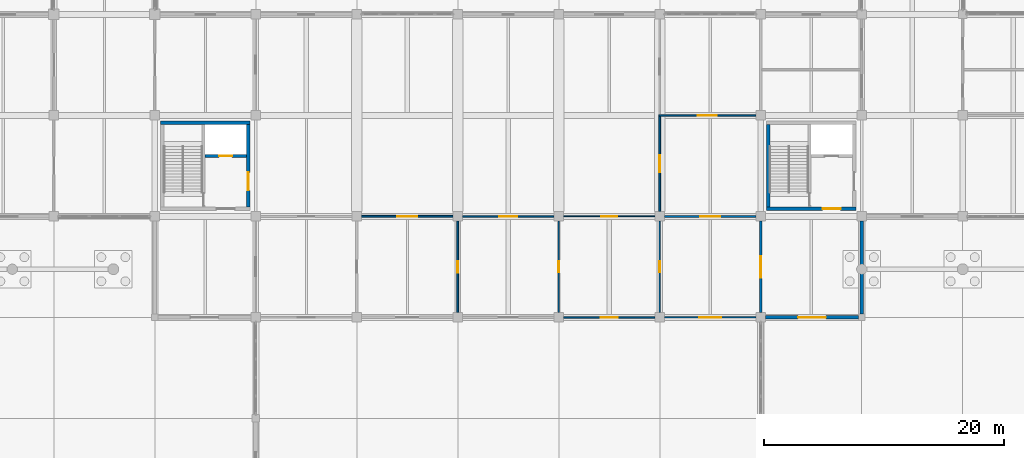
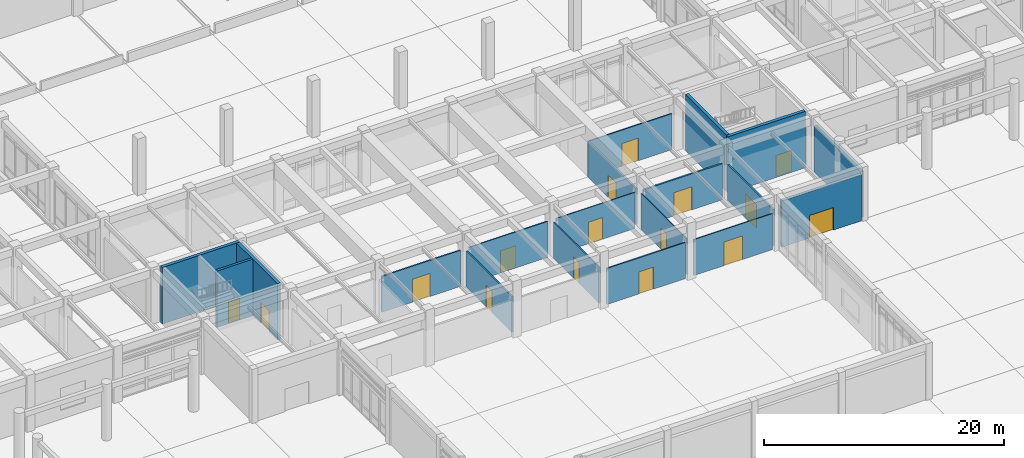
# One storey, part 69 of 91: 19 walls, 16 doors, 16 openings.
"""IFC4 building model written with IfcOpenShell, lengths in metres."""

from ifc_helpers import new_model, si_unit, direction, frame, frame_2d, origin, place, context, subcontext, project, spatial, rectangle, extrude, material, layer, layer_set, type_object, element, fill, save


model = new_model("IFC4")

# Units and contexts
model_context = context("Model", 3, precision=1e-05, world=origin(), true_north=direction((0.0, 1.0)))
body_context = subcontext(model_context, "Body", "Model", "MODEL_VIEW")
ifc_project = project(units=[si_unit("LENGTHUNIT", "METRE"), si_unit("AREAUNIT", "SQUARE_METRE"), si_unit("VOLUMEUNIT", "CUBIC_METRE"), si_unit("PLANEANGLEUNIT", "RADIAN"), si_unit("MASSUNIT", "GRAM", prefix="KILO")], contexts=[model_context])

# Site, building, storey
site_placement = place(None, origin())
site = spatial("IfcSite", under=ifc_project, at=site_placement, CompositionType="ELEMENT")
building_placement = place(site_placement, origin())
building = spatial("IfcBuilding", under=site, at=building_placement, Name="Porcellanite Civic Hall", CompositionType="ELEMENT")
storey_placement = place(building_placement, origin())
storey = spatial("IfcBuildingStorey", under=building, at=storey_placement, Name="L00", CompositionType="ELEMENT", Elevation=0.0)

# Wall, opening, door
ifc_material_1 = material(Name="Concrete N40 (40 MPa)", Category="concrete")
ifc_layer_1 = layer(ifc_material_1, 0.239990234375)
ifc_layer_set_1 = layer_set([ifc_layer_1], Name="Concrete N40 (40 MPa)")
wall_type_1 = type_object("IfcWallType", Name="CW-SH240", PredefinedType="SHEAR", material=ifc_layer_set_1)
wall_1_placement = place(storey_placement, frame((62.9599609375, 55.419921875, 0.0), z_axis=(0.0, 0.0, 1.0), x_axis=(1.0, 0.0, 0.0)))
wall_1 = element("IfcWall", 1, at=wall_1_placement, inside=storey, type_object=wall_type_1, Name="Lift shaft wall C5 L00", PredefinedType="SHEAR", context=body_context, shape_type="SweptSolid", body=[
    extrude(rectangle(XDim=3.4599609375, YDim=0.239990234375, at=frame_2d((1.72998046875, 0.0))), origin(), (0.0, 0.0, 1.0), 5.760009765625),
])
opening_1_placement = place(wall_1_placement, frame((1.179931640625, 0.0, 0.0)))
opening_1 = element("IfcOpeningElement", 2, at=opening_1_placement, cuts=wall_1, Name="Opening LD-05", PredefinedType="OPENING", context=body_context, shape_type="SweptSolid", body=[
    extrude(rectangle(XDim=1.10009765625, YDim=2.14990234375, at=frame_2d((0.550048828125, 1.074951171875))), frame((0.0, 0.1201171875, 0.0), z_axis=(0.0, -1.0, 0.0), x_axis=(1.0, 0.0, 0.0)), (0.0, 0.0, 1.0), 0.239990234375),
])
ifc_material_2 = material(Name="Brushed stainless steel 316", Category="steel")
door_type_1 = type_object("IfcDoorType", Name="DR-LD110", OperationType="DOUBLE_DOOR_SLIDING", PredefinedType="DOOR", material=ifc_material_2)
door_1_placement = place(opening_1_placement, origin())
door_1 = element("IfcDoor", 3, at=door_1_placement, inside=storey, type_object=door_type_1, Name="Lift landing sliding door LD-05 L00", OperationType="DOUBLE_DOOR_SLIDING", OverallHeight=2.14990234375, OverallWidth=1.10009765625, PredefinedType="DOOR", context=body_context, shape_type="SweptSolid", body=[
    extrude(rectangle(XDim=1.10009765625, YDim=2.14990234375, at=frame_2d((0.550048828125, 1.074951171875))), frame((0.0, 0.02490234375, 0.0), z_axis=(0.0, -1.0, 0.0), x_axis=(1.0, 0.0, 0.0)), (0.0, 0.0, 1.0), 0.050048828125),
])
fill(opening_1, door_1)

# Wall
ifc_material_3 = material(Name="Concrete N40 (40 MPa)", Category="concrete")
ifc_layer_2 = layer(ifc_material_3, 0.300048828125)
ifc_layer_set_2 = layer_set([ifc_layer_2], Name="Concrete N40 (40 MPa)")
wall_type_2 = type_object("IfcWallType", Name="CW-SH300", PredefinedType="SHEAR", material=ifc_layer_set_2)
wall_2_placement = place(storey_placement, frame((59.280029296875, 58.169921875, 0.0), z_axis=(0.0, 0.0, 1.0), x_axis=(1.0, 0.0, 0.0)))
element("IfcWall", 4, at=wall_2_placement, inside=storey, type_object=wall_type_2, Name="Core wall C5 L00 N", PredefinedType="SHEAR", context=body_context, shape_type="SweptSolid", body=[
    extrude(rectangle(XDim=7.43994140625, YDim=0.300048828125, at=frame_2d((3.719970703125, 0.0))), origin(), (0.0, 0.0, 1.0), 5.760009765625),
])

# Wall, opening, door
wall_3_placement = place(storey_placement, frame((66.570068359375, 58.02001953125, 0.0), z_axis=(0.0, 0.0, 1.0), x_axis=(0.0, -1.0, 0.0)))
wall_3 = element("IfcWall", 5, at=wall_3_placement, inside=storey, type_object=wall_type_2, Name="Core wall C5 L00 E", PredefinedType="SHEAR", context=body_context, shape_type="SweptSolid", body=[
    extrude(rectangle(XDim=6.840087890625, YDim=0.300048828125, at=frame_2d((3.419921875, 0.0))), origin(), (0.0, 0.0, 1.0), 5.760009765625),
])
opening_2_placement = place(wall_3_placement, frame((3.969970703125, 0.0, 0.0)))
opening_2 = element("IfcOpeningElement", 6, at=opening_2_placement, cuts=wall_3, Name="Opening FD-C5-L00-LB", PredefinedType="OPENING", context=body_context, shape_type="SweptSolid", body=[
    extrude(rectangle(XDim=1.5, YDim=2.14990234375, at=frame_2d((0.75, 1.074951171875))), frame((0.0, 0.14990234375, 0.0), z_axis=(0.0, -1.0, 0.0), x_axis=(1.0, 0.0, 0.0)), (0.0, 0.0, 1.0), 0.300048828125),
])
ifc_material_4 = material(Name="Fire-rated steel and Georgian wired glass", Category="steel")
door_type_2 = type_object("IfcDoorType", Name="DR-FD150", OperationType="DOUBLE_DOOR_SINGLE_SWING", PredefinedType="DOOR", material=ifc_material_4)
door_2_placement = place(opening_2_placement, origin())
door_2 = element("IfcDoor", 7, at=door_2_placement, inside=storey, type_object=door_type_2, Name="Fire lobby double door FD-C5-L00-LB", OperationType="DOUBLE_DOOR_SINGLE_SWING", OverallHeight=2.14990234375, OverallWidth=1.5, PredefinedType="DOOR", context=body_context, shape_type="SweptSolid", body=[
    extrude(rectangle(XDim=1.5, YDim=2.14990234375, at=frame_2d((0.75, 1.074951171875))), frame((0.0, 0.02490234375, 0.0), z_axis=(0.0, -1.0, 0.0), x_axis=(1.0, 0.0, 0.0)), (0.0, 0.0, 1.0), 0.050048828125),
])
fill(opening_2, door_2)

wall_4_placement = place(storey_placement, frame((117.1201171875, 51.030029296875, 0.0), z_axis=(0.0, 0.0, 1.0), x_axis=(-1.0, 0.0, 0.0)))
wall_4 = element("IfcWall", 8, at=wall_4_placement, inside=storey, type_object=wall_type_2, Name="Core wall C6 L00 S", PredefinedType="SHEAR", context=body_context, shape_type="SweptSolid", body=[
    extrude(rectangle(XDim=7.440185546875, YDim=0.300048828125, at=frame_2d((3.72021484375, 0.0))), origin(), (0.0, 0.0, 1.0), 5.760009765625),
])
opening_3_placement = place(wall_4_placement, frame((1.280029296875, 0.0, 0.0)))
opening_3 = element("IfcOpeningElement", 9, at=opening_3_placement, cuts=wall_4, Name="Opening FD-C6-L00-LS", PredefinedType="OPENING", context=body_context, shape_type="SweptSolid", body=[
    extrude(rectangle(XDim=1.5, YDim=2.14990234375, at=frame_2d((0.75, 1.074951171875))), frame((0.0, 0.14990234375, 0.0), z_axis=(0.0, -1.0, 0.0), x_axis=(1.0, 0.0, 0.0)), (0.0, 0.0, 1.0), 0.300048828125),
])
door_3_placement = place(opening_3_placement, origin())
door_3 = element("IfcDoor", 10, at=door_3_placement, inside=storey, type_object=door_type_2, Name="Fire lobby south door FD-C6-L00-LS", OperationType="DOUBLE_DOOR_SINGLE_SWING", OverallHeight=2.14990234375, OverallWidth=1.5, PredefinedType="DOOR", context=body_context, shape_type="SweptSolid", body=[
    extrude(rectangle(XDim=1.5, YDim=2.14990234375, at=frame_2d((0.75, 1.074951171875))), frame((0.0, 0.02490234375, 0.0), z_axis=(0.0, -1.0, 0.0), x_axis=(1.0, 0.0, 0.0)), (0.0, 0.0, 1.0), 0.050048828125),
])
fill(opening_3, door_3)

# Wall
wall_5_placement = place(storey_placement, frame((109.830078125, 51.179931640625, 0.0), z_axis=(0.0, 0.0, 1.0), x_axis=(0.0, 1.0, 0.0)))
element("IfcWall", 11, at=wall_5_placement, inside=storey, type_object=wall_type_2, Name="Core wall C6 L00 W", PredefinedType="SHEAR", context=body_context, shape_type="SweptSolid", body=[
    extrude(rectangle(XDim=6.840087890625, YDim=0.300048828125, at=frame_2d((3.419921875, 0.0))), origin(), (0.0, 0.0, 1.0), 5.760009765625),
])

# Wall, opening, door
ifc_material_5 = material(Name="Precast concrete N40 (40 MPa)", Category="concrete")
ifc_layer_3 = layer(ifc_material_5, 0.280029296875)
ifc_layer_set_3 = layer_set([ifc_layer_3], Name="Precast concrete N40 (40 MPa)")
wall_type_3 = type_object("IfcWallType", Name="EW-CLO280", PredefinedType="SOLIDWALL", material=ifc_layer_set_3)
wall_6_placement = place(storey_placement, frame((117.323974609375, 42.0, 0.0), z_axis=(0.0, 0.0, 1.0), x_axis=(-1.0, 0.0, 0.0)))
wall_6 = element("IfcWall", 12, at=wall_6_placement, inside=storey, type_object=wall_type_3, Name="Exterior wall L00 S 14-6", PredefinedType="SOLIDWALL", context=body_context, shape_type="SweptSolid", body=[
    extrude(rectangle(XDim=7.722900390625, YDim=0.280029296875, at=frame_2d((3.861328125, 0.0))), origin(), (0.0, 0.0, 1.0), 4.699951171875),
])
opening_4_placement = place(wall_6_placement, frame((2.7119140625, 0.0, 0.0)))
opening_4 = element("IfcOpeningElement", 13, at=opening_4_placement, cuts=wall_6, Name="Opening ED-07", PredefinedType="OPENING", context=body_context, shape_type="SweptSolid", body=[
    extrude(rectangle(XDim=2.300048828125, YDim=2.300048828125, at=frame_2d((1.14990234375, 1.14990234375))), frame((0.0, 0.14013671875, 0.0), z_axis=(0.0, -1.0, 0.0), x_axis=(1.0, 0.0, 0.0)), (0.0, 0.0, 1.0), 0.280029296875),
])
ifc_material_6 = material(Name="Anodised aluminium and laminated safety glass", Category="aluminium")
door_type_3 = type_object("IfcDoorType", Name="DR-EXIT210", OperationType="DOUBLE_DOOR_SINGLE_SWING", PredefinedType="DOOR", material=ifc_material_6)
door_4_placement = place(opening_4_placement, origin())
door_4 = element("IfcDoor", 14, at=door_4_placement, inside=storey, type_object=door_type_3, Name="Pedestrian final exit door ED-07", OperationType="DOUBLE_DOOR_SINGLE_SWING", OverallHeight=2.300048828125, OverallWidth=2.300048828125, PredefinedType="DOOR", context=body_context, shape_type="SweptSolid", body=[
    extrude(rectangle(XDim=2.300048828125, YDim=2.300048828125, at=frame_2d((1.14990234375, 1.14990234375))), frame((0.0, 0.02490234375, 0.0), z_axis=(0.0, -1.0, 0.0), x_axis=(1.0, 0.0, 0.0)), (0.0, 0.0, 1.0), 0.050048828125),
])
fill(opening_4, door_4)

# Wall
wall_7_placement = place(storey_placement, frame((117.60009765625, 49.9990234375, 0.0), z_axis=(0.0, 0.0, 1.0), x_axis=(0.0, -1.0, 0.0)))
element("IfcWall", 15, at=wall_7_placement, inside=storey, type_object=wall_type_3, Name="Exterior wall L00 E 14-6", PredefinedType="SOLIDWALL", context=body_context, shape_type="SweptSolid", body=[
    extrude(rectangle(XDim=7.72314453125, YDim=0.280029296875, at=frame_2d((3.861572265625, 0.0))), origin(), (0.0, 0.0, 1.0), 4.699951171875),
])

# Wall, opening, door
ifc_material_7 = material(Name="Insulated acoustic plasterboard on light-gauge steel studs", Category="steel")
ifc_layer_4 = layer(ifc_material_7, 0.087890625)
ifc_layer_set_4 = layer_set([ifc_layer_4], Name="Insulated acoustic plasterboard on light-gauge steel studs")
wall_type_4 = type_object("IfcWallType", Name="IW-PT088", PredefinedType="PARTITIONING", material=ifc_layer_set_4)
wall_8_placement = place(storey_placement, frame((92.802001953125, 50.39990234375, 0.0), z_axis=(0.0, 0.0, 1.0), x_axis=(1.0, 0.0, 0.0)))
wall_8 = element("IfcWall", 16, at=wall_8_placement, inside=storey, type_object=wall_type_4, Name="Partition L00 H 12-6", PredefinedType="PARTITIONING", context=body_context, shape_type="SweptSolid", body=[
    extrude(rectangle(XDim=7.595947265625, YDim=0.087890625, at=frame_2d((3.7978515625, 0.0))), origin(), (0.0, 0.0, 1.0), 3.659912109375),
])
opening_5_placement = place(wall_8_placement, frame((3.123046875, 0.0, 0.0)))
opening_5 = element("IfcOpeningElement", 17, at=opening_5_placement, cuts=wall_8, Name="Opening D-L00-055", PredefinedType="OPENING", context=body_context, shape_type="SweptSolid", body=[
    extrude(rectangle(XDim=1.35009765625, YDim=2.199951171875, at=frame_2d((0.675048828125, 1.10009765625))), frame((0.0, 0.0439453125, 0.0), z_axis=(0.0, -1.0, 0.0), x_axis=(1.0, 0.0, 0.0)), (0.0, 0.0, 1.0), 0.087890625),
])
ifc_material_8 = material(Name="Acoustic spotted-gum timber and safety glass", Category="wood")
door_type_4 = type_object("IfcDoorType", Name="DR-AS135", OperationType="DOUBLE_DOOR_SINGLE_SWING", PredefinedType="DOOR", material=ifc_material_8)
door_5_placement = place(opening_5_placement, origin())
door_5 = element("IfcDoor", 18, at=door_5_placement, inside=storey, type_object=door_type_4, Name="Interior door D-L00-055", OperationType="DOUBLE_DOOR_SINGLE_SWING", OverallHeight=2.199951171875, OverallWidth=1.35009765625, PredefinedType="DOOR", context=body_context, shape_type="SweptSolid", body=[
    extrude(rectangle(XDim=1.35009765625, YDim=2.199951171875, at=frame_2d((0.675048828125, 1.10009765625))), frame((0.0, 0.02490234375, 0.0), z_axis=(0.0, -1.0, 0.0), x_axis=(1.0, 0.0, 0.0)), (0.0, 0.0, 1.0), 0.050048828125),
])
fill(opening_5, door_5)

wall_9_placement = place(storey_placement, frame((100.800048828125, 42.402099609375, 0.0), z_axis=(0.0, 0.0, 1.0), x_axis=(0.0, 1.0, 0.0)))
wall_9 = element("IfcWall", 19, at=wall_9_placement, inside=storey, type_object=wall_type_4, Name="Partition L00 V 12-6", PredefinedType="PARTITIONING", context=body_context, shape_type="SweptSolid", body=[
    extrude(rectangle(XDim=7.595947265625, YDim=0.087890625, at=frame_2d((3.7978515625, 0.0))), origin(), (0.0, 0.0, 1.0), 3.659912109375),
])
opening_6_placement = place(wall_9_placement, frame((3.337890625, 0.0, 0.0)))
opening_6 = element("IfcOpeningElement", 20, at=opening_6_placement, cuts=wall_9, Name="Opening D-L00-138", PredefinedType="OPENING", context=body_context, shape_type="SweptSolid", body=[
    extrude(rectangle(XDim=0.919921875, YDim=2.14990234375, at=frame_2d((0.4599609375, 1.074951171875))), frame((0.0, 0.0439453125, 0.0), z_axis=(0.0, -1.0, 0.0), x_axis=(1.0, 0.0, 0.0)), (0.0, 0.0, 1.0), 0.087890625),
])
ifc_material_9 = material(Name="Solid-core spotted-gum timber", Category="wood")
door_type_5 = type_object("IfcDoorType", Name="DR-RM092", OperationType="NOTDEFINED", PredefinedType="DOOR", material=ifc_material_9)
door_6_placement = place(opening_6_placement, origin())
door_6 = element("IfcDoor", 21, at=door_6_placement, inside=storey, type_object=door_type_5, Name="Interior door D-L00-138", OperationType="SINGLE_SWING_RIGHT", OverallHeight=2.14990234375, OverallWidth=0.919921875, PredefinedType="DOOR", context=body_context, shape_type="SweptSolid", body=[
    extrude(rectangle(XDim=0.919921875, YDim=2.14990234375, at=frame_2d((0.4599609375, 1.074951171875))), frame((0.0, 0.02490234375, 0.0), z_axis=(0.0, -1.0, 0.0), x_axis=(1.0, 0.0, 0.0)), (0.0, 0.0, 1.0), 0.050048828125),
])
fill(opening_6, door_6)

ifc_material_10 = material(Name="Insulated acoustic plasterboard on light-gauge steel studs", Category="steel")
ifc_layer_5 = layer(ifc_material_10, 0.10498046875)
ifc_layer_set_5 = layer_set([ifc_layer_5], Name="Insulated acoustic plasterboard on light-gauge steel studs")
wall_type_5 = type_object("IfcWallType", Name="IW-PT105", PredefinedType="PARTITIONING", material=ifc_layer_set_5)
wall_10_placement = place(storey_placement, frame((101.201904296875, 42.0, 0.0), z_axis=(0.0, 0.0, 1.0), x_axis=(1.0, 0.0, 0.0)))
wall_10 = element("IfcWall", 22, at=wall_10_placement, inside=storey, type_object=wall_type_5, Name="Partition L00 H 13-5", PredefinedType="PARTITIONING", context=body_context, shape_type="SweptSolid", body=[
    extrude(rectangle(XDim=7.59619140625, YDim=0.10498046875, at=frame_2d((3.798095703125, 0.0))), origin(), (0.0, 0.0, 1.0), 3.659912109375),
])
opening_7_placement = place(wall_10_placement, frame((2.89794921875, 0.0, 0.0)))
opening_7 = element("IfcOpeningElement", 23, at=opening_7_placement, cuts=wall_10, Name="Opening D-L00-056", PredefinedType="OPENING", context=body_context, shape_type="SweptSolid", body=[
    extrude(rectangle(XDim=1.800048828125, YDim=2.39990234375, at=frame_2d((0.89990234375, 1.199951171875))), frame((0.0, 0.052490234375, 0.0), z_axis=(0.0, -1.0, 0.0), x_axis=(1.0, 0.0, 0.0)), (0.0, 0.0, 1.0), 0.10498046875),
])
ifc_material_11 = material(Name="Acoustic spotted-gum timber and safety glass", Category="wood")
door_type_6 = type_object("IfcDoorType", Name="DR-AS180", OperationType="DOUBLE_DOOR_SINGLE_SWING", PredefinedType="DOOR", material=ifc_material_11)
door_7_placement = place(opening_7_placement, origin())
door_7 = element("IfcDoor", 24, at=door_7_placement, inside=storey, type_object=door_type_6, Name="Interior door D-L00-056", OperationType="DOUBLE_DOOR_SINGLE_SWING", OverallHeight=2.39990234375, OverallWidth=1.800048828125, PredefinedType="DOOR", context=body_context, shape_type="SweptSolid", body=[
    extrude(rectangle(XDim=1.800048828125, YDim=2.39990234375, at=frame_2d((0.89990234375, 1.199951171875))), frame((0.0, 0.02490234375, 0.0), z_axis=(0.0, -1.0, 0.0), x_axis=(1.0, 0.0, 0.0)), (0.0, 0.0, 1.0), 0.050048828125),
])
fill(opening_7, door_7)

ifc_material_12 = material(Name="Insulated acoustic plasterboard on light-gauge steel studs", Category="steel")
ifc_layer_6 = layer(ifc_material_12, 0.114990234375)
ifc_layer_set_6 = layer_set([ifc_layer_6], Name="Insulated acoustic plasterboard on light-gauge steel studs")
wall_type_6 = type_object("IfcWallType", Name="IW-PT115", PredefinedType="PARTITIONING", material=ifc_layer_set_6)
wall_11_placement = place(storey_placement, frame((84.402099609375, 50.39990234375, 0.0), z_axis=(0.0, 0.0, 1.0), x_axis=(1.0, 0.0, 0.0)))
wall_11 = element("IfcWall", 25, at=wall_11_placement, inside=storey, type_object=wall_type_6, Name="Partition L00 H 11-6", PredefinedType="PARTITIONING", context=body_context, shape_type="SweptSolid", body=[
    extrude(rectangle(XDim=7.595947265625, YDim=0.114990234375, at=frame_2d((3.7978515625, 0.0))), origin(), (0.0, 0.0, 1.0), 3.659912109375),
])
opening_8_placement = place(wall_11_placement, frame((3.048095703125, 0.0, 0.0)))
opening_8 = element("IfcOpeningElement", 26, at=opening_8_placement, cuts=wall_11, Name="Opening D-L00-052", PredefinedType="OPENING", context=body_context, shape_type="SweptSolid", body=[
    extrude(rectangle(XDim=1.5, YDim=2.25, at=frame_2d((0.75, 1.125))), frame((0.0, 0.0576171875, 0.0), z_axis=(0.0, -1.0, 0.0), x_axis=(1.0, 0.0, 0.0)), (0.0, 0.0, 1.0), 0.114990234375),
])
ifc_material_13 = material(Name="Acoustic spotted-gum timber and safety glass", Category="wood")
door_type_7 = type_object("IfcDoorType", Name="DR-AS150", OperationType="DOUBLE_DOOR_SINGLE_SWING", PredefinedType="DOOR", material=ifc_material_13)
door_8_placement = place(opening_8_placement, origin())
door_8 = element("IfcDoor", 27, at=door_8_placement, inside=storey, type_object=door_type_7, Name="Interior door D-L00-052", OperationType="DOUBLE_DOOR_SINGLE_SWING", OverallHeight=2.25, OverallWidth=1.5, PredefinedType="DOOR", context=body_context, shape_type="SweptSolid", body=[
    extrude(rectangle(XDim=1.5, YDim=2.25, at=frame_2d((0.75, 1.125))), frame((0.0, 0.02490234375, 0.0), z_axis=(0.0, -1.0, 0.0), x_axis=(1.0, 0.0, 0.0)), (0.0, 0.0, 1.0), 0.050048828125),
])
fill(opening_8, door_8)

wall_12_placement = place(storey_placement, frame((92.39990234375, 42.402099609375, 0.0), z_axis=(0.0, 0.0, 1.0), x_axis=(0.0, 1.0, 0.0)))
wall_12 = element("IfcWall", 28, at=wall_12_placement, inside=storey, type_object=wall_type_6, Name="Partition L00 V 11-6", PredefinedType="PARTITIONING", context=body_context, shape_type="SweptSolid", body=[
    extrude(rectangle(XDim=7.595947265625, YDim=0.114990234375, at=frame_2d((3.7978515625, 0.0))), origin(), (0.0, 0.0, 1.0), 3.659912109375),
])
opening_9_placement = place(wall_12_placement, frame((3.327880859375, 0.0, 0.0)))
opening_9 = element("IfcOpeningElement", 29, at=opening_9_placement, cuts=wall_12, Name="Opening D-L00-137", PredefinedType="OPENING", context=body_context, shape_type="SweptSolid", body=[
    extrude(rectangle(XDim=0.93994140625, YDim=2.14990234375, at=frame_2d((0.469970703125, 1.074951171875))), frame((0.0, 0.0576171875, 0.0), z_axis=(0.0, -1.0, 0.0), x_axis=(1.0, 0.0, 0.0)), (0.0, 0.0, 1.0), 0.114990234375),
])
ifc_material_14 = material(Name="Solid-core spotted-gum timber", Category="wood")
door_type_8 = type_object("IfcDoorType", Name="DR-RM094", OperationType="NOTDEFINED", PredefinedType="DOOR", material=ifc_material_14)
door_9_placement = place(opening_9_placement, origin())
door_9 = element("IfcDoor", 30, at=door_9_placement, inside=storey, type_object=door_type_8, Name="Interior door D-L00-137", OperationType="SINGLE_SWING_LEFT", OverallHeight=2.14990234375, OverallWidth=0.93994140625, PredefinedType="DOOR", context=body_context, shape_type="SweptSolid", body=[
    extrude(rectangle(XDim=0.93994140625, YDim=2.14990234375, at=frame_2d((0.469970703125, 1.074951171875))), frame((0.0, 0.02490234375, 0.0), z_axis=(0.0, -1.0, 0.0), x_axis=(1.0, 0.0, 0.0)), (0.0, 0.0, 1.0), 0.050048828125),
])
fill(opening_9, door_9)

ifc_material_15 = material(Name="Insulated acoustic plasterboard on light-gauge steel studs", Category="steel")
ifc_layer_7 = layer(ifc_material_15, 0.125)
ifc_layer_set_7 = layer_set([ifc_layer_7], Name="Insulated acoustic plasterboard on light-gauge steel studs")
wall_type_7 = type_object("IfcWallType", Name="IW-PT125", PredefinedType="PARTITIONING", material=ifc_layer_set_7)
wall_13_placement = place(storey_placement, frame((100.722412109375, 58.800048828125, 0.0), z_axis=(0.0, 0.0, 1.0), x_axis=(1.0, 0.0, 0.0)))
wall_13 = element("IfcWall", 31, at=wall_13_placement, inside=storey, type_object=wall_type_7, Name="Partition L00 H 13-7", PredefinedType="PARTITIONING", context=body_context, shape_type="SweptSolid", body=[
    extrude(rectangle(XDim=8.07568359375, YDim=0.125, at=frame_2d((4.037841796875, 0.0))), origin(), (0.0, 0.0, 1.0), 3.659912109375),
])
opening_10_placement = place(wall_13_placement, frame((3.238037109375, 0.0, 0.0)))
opening_10 = element("IfcOpeningElement", 32, at=opening_10_placement, cuts=wall_13, Name="Opening D-L00-058", PredefinedType="OPENING", context=body_context, shape_type="SweptSolid", body=[
    extrude(rectangle(XDim=1.60009765625, YDim=2.300048828125, at=frame_2d((0.800048828125, 1.14990234375))), frame((0.0, 0.0625, 0.0), z_axis=(0.0, -1.0, 0.0), x_axis=(1.0, 0.0, 0.0)), (0.0, 0.0, 1.0), 0.125),
])
ifc_material_16 = material(Name="Acoustic spotted-gum timber and safety glass", Category="wood")
door_type_9 = type_object("IfcDoorType", Name="DR-AS160", OperationType="DOUBLE_DOOR_SINGLE_SWING", PredefinedType="DOOR", material=ifc_material_16)
door_10_placement = place(opening_10_placement, origin())
door_10 = element("IfcDoor", 33, at=door_10_placement, inside=storey, type_object=door_type_9, Name="Interior door D-L00-058", OperationType="DOUBLE_DOOR_SINGLE_SWING", OverallHeight=2.300048828125, OverallWidth=1.60009765625, PredefinedType="DOOR", context=body_context, shape_type="SweptSolid", body=[
    extrude(rectangle(XDim=1.60009765625, YDim=2.300048828125, at=frame_2d((0.800048828125, 1.14990234375))), frame((0.0, 0.02490234375, 0.0), z_axis=(0.0, -1.0, 0.0), x_axis=(1.0, 0.0, 0.0)), (0.0, 0.0, 1.0), 0.050048828125),
])
fill(opening_10, door_10)

ifc_material_17 = material(Name="Insulated acoustic plasterboard on light-gauge steel studs", Category="steel")
ifc_layer_8 = layer(ifc_material_17, 0.135009765625)
ifc_layer_set_8 = layer_set([ifc_layer_8], Name="Insulated acoustic plasterboard on light-gauge steel studs")
wall_type_8 = type_object("IfcWallType", Name="IW-PT135", PredefinedType="PARTITIONING", material=ifc_layer_set_8)
wall_14_placement = place(storey_placement, frame((92.802001953125, 42.0, 0.0), z_axis=(0.0, 0.0, 1.0), x_axis=(1.0, 0.0, 0.0)))
wall_14 = element("IfcWall", 34, at=wall_14_placement, inside=storey, type_object=wall_type_8, Name="Partition L00 H 12-5", PredefinedType="PARTITIONING", context=body_context, shape_type="SweptSolid", body=[
    extrude(rectangle(XDim=7.595947265625, YDim=0.135009765625, at=frame_2d((3.7978515625, 0.0))), origin(), (0.0, 0.0, 1.0), 3.659912109375),
])
opening_11_placement = place(wall_14_placement, frame((3.097900390625, 0.0, 0.0)))
opening_11 = element("IfcOpeningElement", 35, at=opening_11_placement, cuts=wall_14, Name="Opening D-L00-054", PredefinedType="OPENING", context=body_context, shape_type="SweptSolid", body=[
    extrude(rectangle(XDim=1.39990234375, YDim=2.25, at=frame_2d((0.699951171875, 1.125))), frame((0.0, 0.0673828125, 0.0), z_axis=(0.0, -1.0, 0.0), x_axis=(1.0, 0.0, 0.0)), (0.0, 0.0, 1.0), 0.135009765625),
])
ifc_material_18 = material(Name="Acoustic spotted-gum timber and safety glass", Category="wood")
door_type_10 = type_object("IfcDoorType", Name="DR-AS140", OperationType="DOUBLE_DOOR_SINGLE_SWING", PredefinedType="DOOR", material=ifc_material_18)
door_11_placement = place(opening_11_placement, origin())
door_11 = element("IfcDoor", 36, at=door_11_placement, inside=storey, type_object=door_type_10, Name="Interior door D-L00-054", OperationType="DOUBLE_DOOR_SINGLE_SWING", OverallHeight=2.25, OverallWidth=1.39990234375, PredefinedType="DOOR", context=body_context, shape_type="SweptSolid", body=[
    extrude(rectangle(XDim=1.39990234375, YDim=2.25, at=frame_2d((0.699951171875, 1.125))), frame((0.0, 0.02490234375, 0.0), z_axis=(0.0, -1.0, 0.0), x_axis=(1.0, 0.0, 0.0)), (0.0, 0.0, 1.0), 0.050048828125),
])
fill(opening_11, door_11)

ifc_material_19 = material(Name="Insulated acoustic plasterboard on light-gauge steel studs", Category="steel")
ifc_layer_9 = layer(ifc_material_19, 0.14501953125)
ifc_layer_set_9 = layer_set([ifc_layer_9], Name="Insulated acoustic plasterboard on light-gauge steel studs")
wall_type_9 = type_object("IfcWallType", Name="IW-PT145", PredefinedType="PARTITIONING", material=ifc_layer_set_9)
wall_15_placement = place(storey_placement, frame((76.001953125, 50.39990234375, 0.0), z_axis=(0.0, 0.0, 1.0), x_axis=(1.0, 0.0, 0.0)))
wall_15 = element("IfcWall", 37, at=wall_15_placement, inside=storey, type_object=wall_type_9, Name="Partition L00 H 10-6", PredefinedType="PARTITIONING", context=body_context, shape_type="SweptSolid", body=[
    extrude(rectangle(XDim=7.595947265625, YDim=0.14501953125, at=frame_2d((3.7978515625, 0.0))), origin(), (0.0, 0.0, 1.0), 3.659912109375),
])
opening_12_placement = place(wall_15_placement, frame((2.947998046875, 0.0, 0.0)))
opening_12 = element("IfcOpeningElement", 38, at=opening_12_placement, cuts=wall_15, Name="Opening D-L00-050", PredefinedType="OPENING", context=body_context, shape_type="SweptSolid", body=[
    extrude(rectangle(XDim=1.699951171875, YDim=2.35009765625, at=frame_2d((0.85009765625, 1.175048828125))), frame((0.0, 0.072509765625, 0.0), z_axis=(0.0, -1.0, 0.0), x_axis=(1.0, 0.0, 0.0)), (0.0, 0.0, 1.0), 0.14501953125),
])
ifc_material_20 = material(Name="Acoustic spotted-gum timber and safety glass", Category="wood")
door_type_11 = type_object("IfcDoorType", Name="DR-AS170", OperationType="DOUBLE_DOOR_SINGLE_SWING", PredefinedType="DOOR", material=ifc_material_20)
door_12_placement = place(opening_12_placement, origin())
door_12 = element("IfcDoor", 39, at=door_12_placement, inside=storey, type_object=door_type_11, Name="Interior door D-L00-050", OperationType="DOUBLE_DOOR_SINGLE_SWING", OverallHeight=2.35009765625, OverallWidth=1.699951171875, PredefinedType="DOOR", context=body_context, shape_type="SweptSolid", body=[
    extrude(rectangle(XDim=1.699951171875, YDim=2.35009765625, at=frame_2d((0.85009765625, 1.175048828125))), frame((0.0, 0.02490234375, 0.0), z_axis=(0.0, -1.0, 0.0), x_axis=(1.0, 0.0, 0.0)), (0.0, 0.0, 1.0), 0.050048828125),
])
fill(opening_12, door_12)

wall_16_placement = place(storey_placement, frame((84.0, 42.402099609375, 0.0), z_axis=(0.0, 0.0, 1.0), x_axis=(0.0, 1.0, 0.0)))
wall_16 = element("IfcWall", 40, at=wall_16_placement, inside=storey, type_object=wall_type_9, Name="Partition L00 V 10-6", PredefinedType="PARTITIONING", context=body_context, shape_type="SweptSolid", body=[
    extrude(rectangle(XDim=7.595947265625, YDim=0.14501953125, at=frame_2d((3.7978515625, 0.0))), origin(), (0.0, 0.0, 1.0), 3.659912109375),
])
opening_13_placement = place(wall_16_placement, frame((3.318115234375, 0.0, 0.0)))
opening_13 = element("IfcOpeningElement", 41, at=opening_13_placement, cuts=wall_16, Name="Opening D-L00-136", PredefinedType="OPENING", context=body_context, shape_type="SweptSolid", body=[
    extrude(rectangle(XDim=0.9599609375, YDim=2.179931640625, at=frame_2d((0.47998046875, 1.08984375))), frame((0.0, 0.072509765625, 0.0), z_axis=(0.0, -1.0, 0.0), x_axis=(1.0, 0.0, 0.0)), (0.0, 0.0, 1.0), 0.14501953125),
])
ifc_material_21 = material(Name="Solid-core spotted-gum timber", Category="wood")
door_type_12 = type_object("IfcDoorType", Name="DR-RM096", OperationType="NOTDEFINED", PredefinedType="DOOR", material=ifc_material_21)
door_13_placement = place(opening_13_placement, origin())
door_13 = element("IfcDoor", 42, at=door_13_placement, inside=storey, type_object=door_type_12, Name="Interior door D-L00-136", OperationType="SINGLE_SWING_RIGHT", OverallHeight=2.179931640625, OverallWidth=0.9599609375, PredefinedType="DOOR", context=body_context, shape_type="SweptSolid", body=[
    extrude(rectangle(XDim=0.9599609375, YDim=2.179931640625, at=frame_2d((0.47998046875, 1.08984375))), frame((0.0, 0.02490234375, 0.0), z_axis=(0.0, -1.0, 0.0), x_axis=(1.0, 0.0, 0.0)), (0.0, 0.0, 1.0), 0.050048828125),
])
fill(opening_13, door_13)

ifc_material_22 = material(Name="Insulated acoustic plasterboard on light-gauge steel studs", Category="steel")
ifc_layer_10 = layer(ifc_material_22, 0.155029296875)
ifc_layer_set_10 = layer_set([ifc_layer_10], Name="Insulated acoustic plasterboard on light-gauge steel studs")
wall_type_10 = type_object("IfcWallType", Name="IW-PT155", PredefinedType="PARTITIONING", material=ifc_layer_set_10)
wall_17_placement = place(storey_placement, frame((100.800048828125, 50.802001953125, 0.0), z_axis=(0.0, 0.0, 1.0), x_axis=(0.0, 1.0, 0.0)))
wall_17 = element("IfcWall", 43, at=wall_17_placement, inside=storey, type_object=wall_type_10, Name="Partition L00 V 12-7", PredefinedType="PARTITIONING", context=body_context, shape_type="SweptSolid", body=[
    extrude(rectangle(XDim=7.93359375, YDim=0.155029296875, at=frame_2d((3.966796875, 0.0))), origin(), (0.0, 0.0, 1.0), 3.659912109375),
])
opening_14_placement = place(wall_17_placement, frame((3.26708984375, 0.0, 0.0)))
opening_14 = element("IfcOpeningElement", 44, at=opening_14_placement, cuts=wall_17, Name="Opening D-L00-082", PredefinedType="OPENING", context=body_context, shape_type="SweptSolid", body=[
    extrude(rectangle(XDim=1.39990234375, YDim=2.25, at=frame_2d((0.699951171875, 1.125))), frame((0.0, 0.07763671875, 0.0), z_axis=(0.0, -1.0, 0.0), x_axis=(1.0, 0.0, 0.0)), (0.0, 0.0, 1.0), 0.155029296875),
])
door_14_placement = place(opening_14_placement, origin())
door_14 = element("IfcDoor", 45, at=door_14_placement, inside=storey, type_object=door_type_10, Name="Interior door D-L00-082", OperationType="DOUBLE_DOOR_SINGLE_SWING", OverallHeight=2.25, OverallWidth=1.39990234375, PredefinedType="DOOR", context=body_context, shape_type="SweptSolid", body=[
    extrude(rectangle(XDim=1.39990234375, YDim=2.25, at=frame_2d((0.699951171875, 1.125))), frame((0.0, 0.02490234375, 0.0), z_axis=(0.0, -1.0, 0.0), x_axis=(1.0, 0.0, 0.0)), (0.0, 0.0, 1.0), 0.050048828125),
])
fill(opening_14, door_14)

ifc_material_23 = material(Name="Insulated acoustic plasterboard on light-gauge steel studs", Category="steel")
ifc_layer_11 = layer(ifc_material_23, 0.175048828125)
ifc_layer_set_11 = layer_set([ifc_layer_11], Name="Insulated acoustic plasterboard on light-gauge steel studs")
wall_type_11 = type_object("IfcWallType", Name="IW-PT175", PredefinedType="PARTITIONING", material=ifc_layer_set_11)
wall_18_placement = place(storey_placement, frame((101.201904296875, 50.39990234375, 0.0), z_axis=(0.0, 0.0, 1.0), x_axis=(1.0, 0.0, 0.0)))
wall_18 = element("IfcWall", 46, at=wall_18_placement, inside=storey, type_object=wall_type_11, Name="Partition L00 H 13-6", PredefinedType="PARTITIONING", context=body_context, shape_type="SweptSolid", body=[
    extrude(rectangle(XDim=7.59619140625, YDim=0.175048828125, at=frame_2d((3.798095703125, 0.0))), origin(), (0.0, 0.0, 1.0), 3.659912109375),
])
opening_15_placement = place(wall_18_placement, frame((2.947998046875, 0.0, 0.0)))
opening_15 = element("IfcOpeningElement", 47, at=opening_15_placement, cuts=wall_18, Name="Opening D-L00-057", PredefinedType="OPENING", context=body_context, shape_type="SweptSolid", body=[
    extrude(rectangle(XDim=1.699951171875, YDim=2.35009765625, at=frame_2d((0.85009765625, 1.175048828125))), frame((0.0, 0.08740234375, 0.0), z_axis=(0.0, -1.0, 0.0), x_axis=(1.0, 0.0, 0.0)), (0.0, 0.0, 1.0), 0.175048828125),
])
door_15_placement = place(opening_15_placement, origin())
door_15 = element("IfcDoor", 48, at=door_15_placement, inside=storey, type_object=door_type_11, Name="Interior door D-L00-057", OperationType="DOUBLE_DOOR_SINGLE_SWING", OverallHeight=2.35009765625, OverallWidth=1.699951171875, PredefinedType="DOOR", context=body_context, shape_type="SweptSolid", body=[
    extrude(rectangle(XDim=1.699951171875, YDim=2.35009765625, at=frame_2d((0.85009765625, 1.175048828125))), frame((0.0, 0.02490234375, 0.0), z_axis=(0.0, -1.0, 0.0), x_axis=(1.0, 0.0, 0.0)), (0.0, 0.0, 1.0), 0.050048828125),
])
fill(opening_15, door_15)

wall_19_placement = place(storey_placement, frame((109.199951171875, 42.402099609375, 0.0), z_axis=(0.0, 0.0, 1.0), x_axis=(0.0, 1.0, 0.0)))
wall_19 = element("IfcWall", 49, at=wall_19_placement, inside=storey, type_object=wall_type_11, Name="Partition L00 V 13-6", PredefinedType="PARTITIONING", context=body_context, shape_type="SweptSolid", body=[
    extrude(rectangle(XDim=7.595947265625, YDim=0.175048828125, at=frame_2d((3.7978515625, 0.0))), origin(), (0.0, 0.0, 1.0), 3.659912109375),
])
opening_16_placement = place(wall_19_placement, frame((2.89794921875, 0.0, 0.0)))
opening_16 = element("IfcOpeningElement", 50, at=opening_16_placement, cuts=wall_19, Name="Opening D-L00-084", PredefinedType="OPENING", context=body_context, shape_type="SweptSolid", body=[
    extrude(rectangle(XDim=1.800048828125, YDim=2.39990234375, at=frame_2d((0.89990234375, 1.199951171875))), frame((0.0, 0.08740234375, 0.0), z_axis=(0.0, -1.0, 0.0), x_axis=(1.0, 0.0, 0.0)), (0.0, 0.0, 1.0), 0.175048828125),
])
door_16_placement = place(opening_16_placement, origin())
door_16 = element("IfcDoor", 51, at=door_16_placement, inside=storey, type_object=door_type_6, Name="Interior door D-L00-084", OperationType="DOUBLE_DOOR_SINGLE_SWING", OverallHeight=2.39990234375, OverallWidth=1.800048828125, PredefinedType="DOOR", context=body_context, shape_type="SweptSolid", body=[
    extrude(rectangle(XDim=1.800048828125, YDim=2.39990234375, at=frame_2d((0.89990234375, 1.199951171875))), frame((0.0, 0.02490234375, 0.0), z_axis=(0.0, -1.0, 0.0), x_axis=(1.0, 0.0, 0.0)), (0.0, 0.0, 1.0), 0.050048828125),
])
fill(opening_16, door_16)

save(model, "model.ifc")
